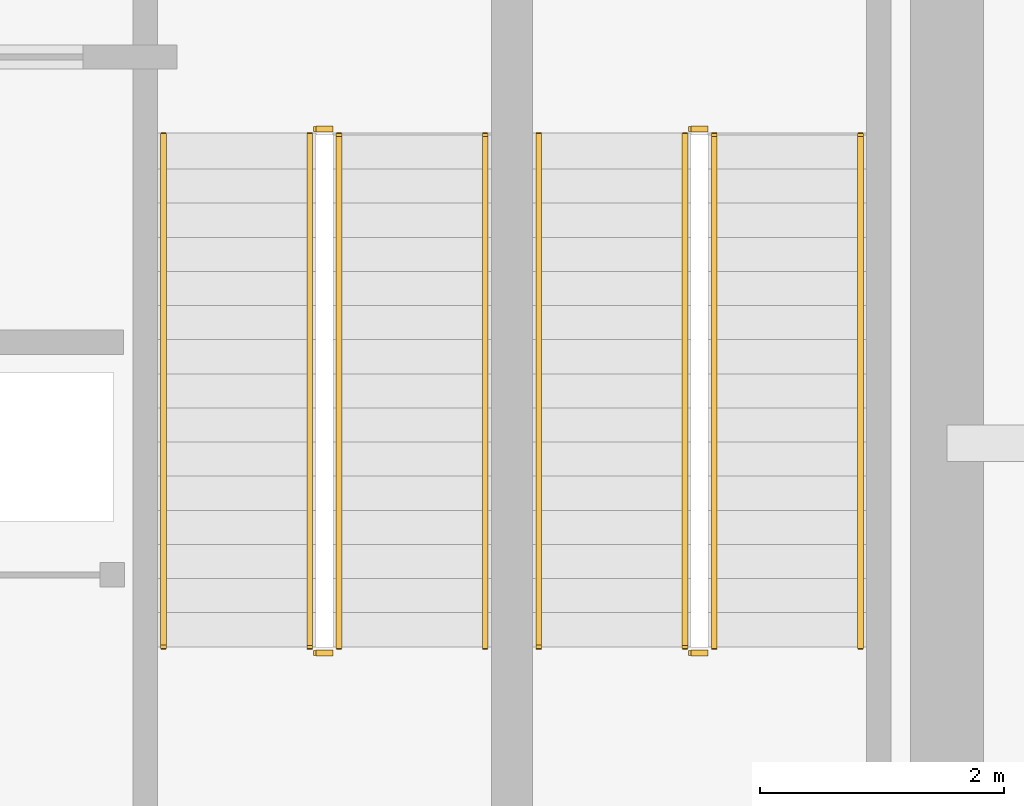
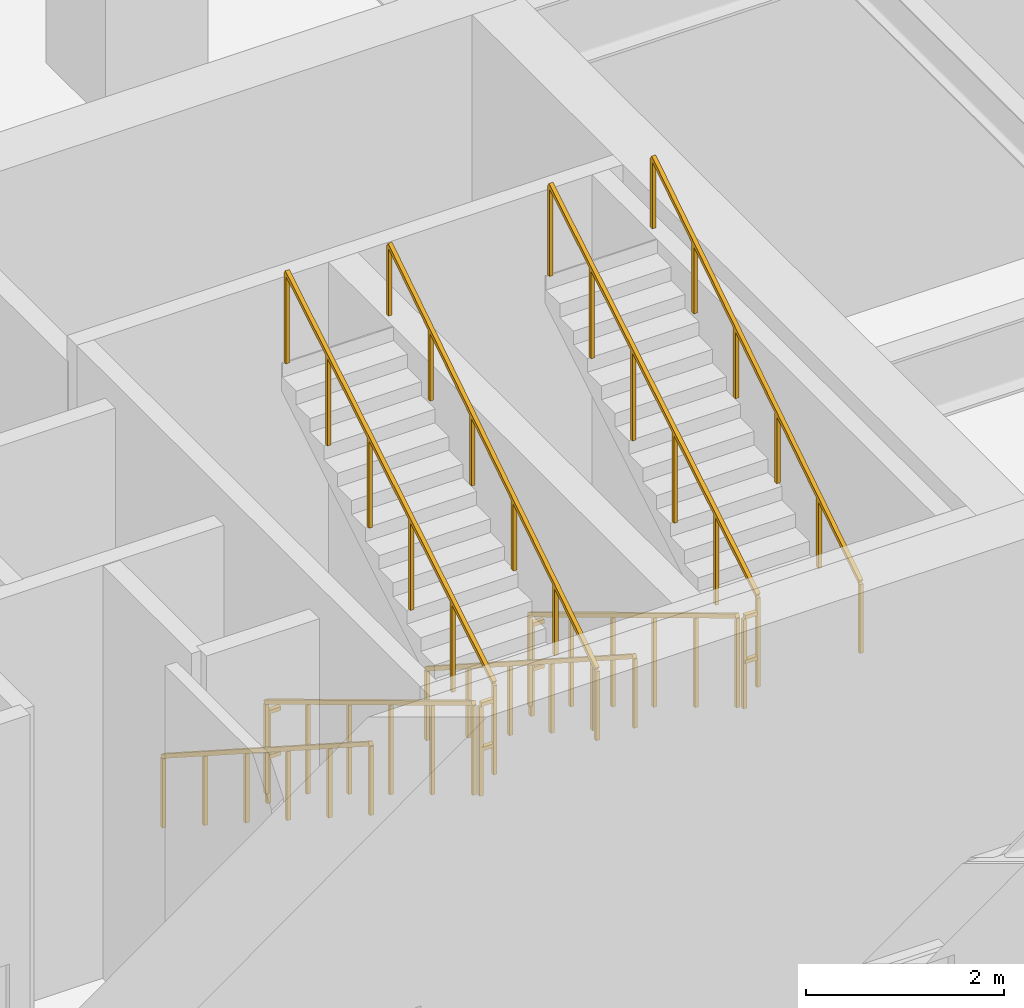
# One storey, part 21 of 23: 12 railings.
"""IFC4 building model written with IfcOpenShell, lengths in metres."""

from ifc_helpers import new_model, si_unit, derived_unit, direction, frame, origin, origin_2d, place, context, subcontext, project, spatial, rectangle, extrude, material, type_object, element, save


model = new_model("IFC4")

# Units and contexts
model_context = context("Model", 3, precision=1e-05, world=origin(), true_north=direction((0.0, 1.0)))
body_context = subcontext(model_context, "Body", "Model", "MODEL_VIEW")
ifc_project = project(units=[si_unit("LENGTHUNIT", "METRE"), si_unit("AREAUNIT", "SQUARE_METRE"), si_unit("VOLUMEUNIT", "CUBIC_METRE"), si_unit("PLANEANGLEUNIT", "RADIAN"), si_unit("MASSUNIT", "GRAM", prefix="KILO"), si_unit("THERMODYNAMICTEMPERATUREUNIT", "KELVIN"), si_unit("POWERUNIT", "WATT"), derived_unit("THERMALTRANSMITTANCEUNIT", [(si_unit("POWERUNIT", "WATT"), 1), (si_unit("AREAUNIT", "SQUARE_METRE"), -1), (si_unit("THERMODYNAMICTEMPERATUREUNIT", "KELVIN"), -1)])], contexts=[model_context])

# Site, building, storey
site_placement = place(None, origin())
site = spatial("IfcSite", under=ifc_project, at=site_placement, CompositionType="ELEMENT")
building_placement = place(site_placement, origin())
building = spatial("IfcBuilding", under=site, at=building_placement, Name="Zahravan Archway Hotel and Residences", CompositionType="ELEMENT")
storey_placement = place(building_placement, frame((0.0, 0.0, 5.39990234375)))
storey = spatial("IfcBuildingStorey", under=building, at=storey_placement, Name="L01", CompositionType="ELEMENT", Elevation=5.39990234375)

# Railings
ifc_material_1 = material(Name="Painted Tubular Steel", Category="steel")
railing_type_1 = type_object("IfcRailingType", Name="RL-STG-1150", PredefinedType="GUARDRAIL", material=ifc_material_1)
railing_1_placement = place(storey_placement, frame((44.570068359375, 9.72998046875, 0.1689453125)))
element("IfcRailing", 1, at=railing_1_placement, inside=storey, type_object=railing_type_1, Name="L01 ST-A2 stair guard 1", PredefinedType="GUARDRAIL", context=body_context, shape_type="SweptSolid", body=[
    extrude(rectangle(XDim=0.048095703125, YDim=0.048095703125, at=origin_2d()), frame((0.0, 0.0, 1.1259765625), z_axis=(0.0, -0.856476492594, 0.516186030065), x_axis=(1.0, 0.0, 0.0)), (0.0, 0.0, 1.0), 4.90380859375),
    extrude(rectangle(XDim=0.0419921875, YDim=0.0419921875, at=origin_2d()), origin(), (0.0, 0.0, 1.0), 1.101806640625),
    extrude(rectangle(XDim=0.0419921875, YDim=0.0419921875, at=origin_2d()), frame((0.0, -0.840087890625, 0.50634765625)), (0.0, 0.0, 1.0), 1.101806640625),
    extrude(rectangle(XDim=0.0419921875, YDim=0.0419921875, at=origin_2d()), frame((0.0, -1.679931640625, 1.012451171875)), (0.0, 0.0, 1.0), 1.101806640625),
    extrude(rectangle(XDim=0.0419921875, YDim=0.0419921875, at=origin_2d()), frame((0.0, -2.52001953125, 1.518798828125)), (0.0, 0.0, 1.0), 1.101806640625),
    extrude(rectangle(XDim=0.0419921875, YDim=0.0419921875, at=origin_2d()), frame((0.0, -3.35986328125, 2.02490234375)), (0.0, 0.0, 1.0), 1.101806640625),
    extrude(rectangle(XDim=0.0419921875, YDim=0.0419921875, at=origin_2d()), frame((0.0, -4.199951171875, 2.53125)), (0.0, 0.0, 1.0), 1.101806640625),
])
railing_2_placement = place(storey_placement, frame((44.6201171875, 5.47998046875, 2.7001953125)))
element("IfcRailing", 2, at=railing_2_placement, inside=storey, type_object=railing_type_1, Name="L01 ST-A2 stair guard 2", PredefinedType="GUARDRAIL", context=body_context, shape_type="SweptSolid", body=[
    extrude(rectangle(XDim=0.048095703125, YDim=0.048095703125, at=origin_2d()), frame((0.0, 0.0, 1.1259765625), z_axis=(1.0, 0.0, 0.0), x_axis=(0.0, 1.0, 0.0)), (0.0, 0.0, 1.0), 0.139892578125),
    extrude(rectangle(XDim=0.048095703125, YDim=0.048095703125, at=origin_2d()), frame((0.0, 0.0, 0.574951171875), z_axis=(1.0, 0.0, 0.0), x_axis=(0.0, 1.0, 0.0)), (0.0, 0.0, 1.0), 0.139892578125),
    extrude(rectangle(XDim=0.0419921875, YDim=0.0419921875, at=origin_2d()), origin(), (0.0, 0.0, 1.0), 1.101806640625),
])
railing_3_placement = place(storey_placement, frame((44.81005859375, 5.530029296875, 2.868896484375)))
element("IfcRailing", 3, at=railing_3_placement, inside=storey, type_object=railing_type_1, Name="L01 ST-A2 stair guard 3", PredefinedType="GUARDRAIL", context=body_context, shape_type="SweptSolid", body=[
    extrude(rectangle(XDim=0.048095703125, YDim=0.048095703125, at=origin_2d()), frame((0.0, 0.0, 1.1259765625), z_axis=(0.0, 0.856476492594, 0.516186030065), x_axis=(-1.0, 0.0, 0.0)), (0.0, 0.0, 1.0), 4.90380859375),
    extrude(rectangle(XDim=0.0419921875, YDim=0.0419921875, at=origin_2d()), origin(), (0.0, 0.0, 1.0), 1.101806640625),
    extrude(rectangle(XDim=0.0419921875, YDim=0.0419921875, at=origin_2d()), frame((0.0, 0.840087890625, 0.50634765625)), (0.0, 0.0, 1.0), 1.101806640625),
    extrude(rectangle(XDim=0.0419921875, YDim=0.0419921875, at=origin_2d()), frame((0.0, 1.679931640625, 1.012451171875)), (0.0, 0.0, 1.0), 1.101806640625),
    extrude(rectangle(XDim=0.0419921875, YDim=0.0419921875, at=origin_2d()), frame((0.0, 2.52001953125, 1.518798828125)), (0.0, 0.0, 1.0), 1.101806640625),
    extrude(rectangle(XDim=0.0419921875, YDim=0.0419921875, at=origin_2d()), frame((0.0, 3.35986328125, 2.02490234375)), (0.0, 0.0, 1.0), 1.101806640625),
    extrude(rectangle(XDim=0.0419921875, YDim=0.0419921875, at=origin_2d()), frame((0.0, 4.199951171875, 2.53125)), (0.0, 0.0, 1.0), 1.101806640625),
])
railing_4_placement = place(storey_placement, frame((44.6201171875, 9.780029296875, 0.0)))
element("IfcRailing", 4, at=railing_4_placement, inside=storey, type_object=railing_type_1, Name="L01 ST-A2 stair guard 4", PredefinedType="GUARDRAIL", context=body_context, shape_type="SweptSolid", body=[
    extrude(rectangle(XDim=0.048095703125, YDim=0.048095703125, at=origin_2d()), frame((0.0, 0.0, 1.1259765625), z_axis=(1.0, 0.0, 0.0), x_axis=(0.0, 1.0, 0.0)), (0.0, 0.0, 1.0), 0.139892578125),
    extrude(rectangle(XDim=0.048095703125, YDim=0.048095703125, at=origin_2d()), frame((0.0, 0.0, 0.574951171875), z_axis=(1.0, 0.0, 0.0), x_axis=(0.0, 1.0, 0.0)), (0.0, 0.0, 1.0), 0.139892578125),
    extrude(rectangle(XDim=0.0419921875, YDim=0.0419921875, at=origin_2d()), origin(), (0.0, 0.0, 1.0), 1.101806640625),
])
railing_5_placement = place(storey_placement, frame((47.64990234375, 9.72998046875, 0.1689453125)))
element("IfcRailing", 5, at=railing_5_placement, inside=storey, type_object=railing_type_1, Name="L01 ST-A3 stair guard 1", PredefinedType="GUARDRAIL", context=body_context, shape_type="SweptSolid", body=[
    extrude(rectangle(XDim=0.048095703125, YDim=0.048095703125, at=origin_2d()), frame((0.0, 0.0, 1.1259765625), z_axis=(0.0, -0.856476492594, 0.516186030065), x_axis=(1.0, 0.0, 0.0)), (0.0, 0.0, 1.0), 4.90380859375),
    extrude(rectangle(XDim=0.0419921875, YDim=0.0419921875, at=origin_2d()), origin(), (0.0, 0.0, 1.0), 1.101806640625),
    extrude(rectangle(XDim=0.0419921875, YDim=0.0419921875, at=origin_2d()), frame((0.0, -0.840087890625, 0.50634765625)), (0.0, 0.0, 1.0), 1.101806640625),
    extrude(rectangle(XDim=0.0419921875, YDim=0.0419921875, at=origin_2d()), frame((0.0, -1.679931640625, 1.012451171875)), (0.0, 0.0, 1.0), 1.101806640625),
    extrude(rectangle(XDim=0.0419921875, YDim=0.0419921875, at=origin_2d()), frame((0.0, -2.52001953125, 1.518798828125)), (0.0, 0.0, 1.0), 1.101806640625),
    extrude(rectangle(XDim=0.0419921875, YDim=0.0419921875, at=origin_2d()), frame((0.0, -3.35986328125, 2.02490234375)), (0.0, 0.0, 1.0), 1.101806640625),
    extrude(rectangle(XDim=0.0419921875, YDim=0.0419921875, at=origin_2d()), frame((0.0, -4.199951171875, 2.53125)), (0.0, 0.0, 1.0), 1.101806640625),
])
railing_6_placement = place(storey_placement, frame((47.699951171875, 5.47998046875, 2.7001953125)))
element("IfcRailing", 6, at=railing_6_placement, inside=storey, type_object=railing_type_1, Name="L01 ST-A3 stair guard 2", PredefinedType="GUARDRAIL", context=body_context, shape_type="SweptSolid", body=[
    extrude(rectangle(XDim=0.048095703125, YDim=0.048095703125, at=origin_2d()), frame((0.0, 0.0, 1.1259765625), z_axis=(1.0, 0.0, 0.0), x_axis=(0.0, 1.0, 0.0)), (0.0, 0.0, 1.0), 0.14013671875),
    extrude(rectangle(XDim=0.048095703125, YDim=0.048095703125, at=origin_2d()), frame((0.0, 0.0, 0.574951171875), z_axis=(1.0, 0.0, 0.0), x_axis=(0.0, 1.0, 0.0)), (0.0, 0.0, 1.0), 0.14013671875),
    extrude(rectangle(XDim=0.0419921875, YDim=0.0419921875, at=origin_2d()), origin(), (0.0, 0.0, 1.0), 1.101806640625),
])
railing_7_placement = place(storey_placement, frame((47.889892578125, 5.530029296875, 2.868896484375)))
element("IfcRailing", 7, at=railing_7_placement, inside=storey, type_object=railing_type_1, Name="L01 ST-A3 stair guard 3", PredefinedType="GUARDRAIL", context=body_context, shape_type="SweptSolid", body=[
    extrude(rectangle(XDim=0.048095703125, YDim=0.048095703125, at=origin_2d()), frame((0.0, 0.0, 1.1259765625), z_axis=(0.0, 0.856476492594, 0.516186030065), x_axis=(-1.0, 0.0, 0.0)), (0.0, 0.0, 1.0), 4.90380859375),
    extrude(rectangle(XDim=0.0419921875, YDim=0.0419921875, at=origin_2d()), origin(), (0.0, 0.0, 1.0), 1.101806640625),
    extrude(rectangle(XDim=0.0419921875, YDim=0.0419921875, at=origin_2d()), frame((0.0, 0.840087890625, 0.50634765625)), (0.0, 0.0, 1.0), 1.101806640625),
    extrude(rectangle(XDim=0.0419921875, YDim=0.0419921875, at=origin_2d()), frame((0.0, 1.679931640625, 1.012451171875)), (0.0, 0.0, 1.0), 1.101806640625),
    extrude(rectangle(XDim=0.0419921875, YDim=0.0419921875, at=origin_2d()), frame((0.0, 2.52001953125, 1.518798828125)), (0.0, 0.0, 1.0), 1.101806640625),
    extrude(rectangle(XDim=0.0419921875, YDim=0.0419921875, at=origin_2d()), frame((0.0, 3.35986328125, 2.02490234375)), (0.0, 0.0, 1.0), 1.101806640625),
    extrude(rectangle(XDim=0.0419921875, YDim=0.0419921875, at=origin_2d()), frame((0.0, 4.199951171875, 2.53125)), (0.0, 0.0, 1.0), 1.101806640625),
])
railing_8_placement = place(storey_placement, frame((47.699951171875, 9.780029296875, 0.0)))
element("IfcRailing", 8, at=railing_8_placement, inside=storey, type_object=railing_type_1, Name="L01 ST-A3 stair guard 4", PredefinedType="GUARDRAIL", context=body_context, shape_type="SweptSolid", body=[
    extrude(rectangle(XDim=0.048095703125, YDim=0.048095703125, at=origin_2d()), frame((0.0, 0.0, 1.1259765625), z_axis=(1.0, 0.0, 0.0), x_axis=(0.0, 1.0, 0.0)), (0.0, 0.0, 1.0), 0.14013671875),
    extrude(rectangle(XDim=0.048095703125, YDim=0.048095703125, at=origin_2d()), frame((0.0, 0.0, 0.574951171875), z_axis=(1.0, 0.0, 0.0), x_axis=(0.0, 1.0, 0.0)), (0.0, 0.0, 1.0), 0.14013671875),
    extrude(rectangle(XDim=0.0419921875, YDim=0.0419921875, at=origin_2d()), origin(), (0.0, 0.0, 1.0), 1.101806640625),
])
ifc_material_2 = material(Name="Brushed Stainless Steel", Category="steel")
railing_type_2 = type_object("IfcRailingType", Name="RL-STH-900", PredefinedType="HANDRAIL", material=ifc_material_2)
railing_9_placement = place(storey_placement, frame((43.3701171875, 9.72998046875, 0.1689453125)))
element("IfcRailing", 9, at=railing_9_placement, inside=storey, type_object=railing_type_2, Name="L01 ST-A2 stair handrail 1", PredefinedType="HANDRAIL", context=body_context, shape_type="SweptSolid", body=[
    extrude(rectangle(XDim=0.048095703125, YDim=0.048095703125, at=origin_2d()), frame((0.0, 0.0, 0.8759765625), z_axis=(0.0, -0.841180064094, 0.540755119968), x_axis=(1.0, 0.0, 0.0)), (0.0, 0.0, 1.0), 4.992919921875),
    extrude(rectangle(XDim=0.0419921875, YDim=0.0419921875, at=origin_2d()), origin(), (0.0, 0.0, 1.0), 0.851806640625),
    extrude(rectangle(XDim=0.0419921875, YDim=0.0419921875, at=origin_2d()), frame((0.0, -0.840087890625, 0.5400390625)), (0.0, 0.0, 1.0), 0.851806640625),
    extrude(rectangle(XDim=0.0419921875, YDim=0.0419921875, at=origin_2d()), frame((0.0, -1.679931640625, 1.080078125)), (0.0, 0.0, 1.0), 0.851806640625),
    extrude(rectangle(XDim=0.0419921875, YDim=0.0419921875, at=origin_2d()), frame((0.0, -2.52001953125, 1.619873046875)), (0.0, 0.0, 1.0), 0.851806640625),
    extrude(rectangle(XDim=0.0419921875, YDim=0.0419921875, at=origin_2d()), frame((0.0, -3.35986328125, 2.159912109375)), (0.0, 0.0, 1.0), 0.851806640625),
    extrude(rectangle(XDim=0.0419921875, YDim=0.0419921875, at=origin_2d()), frame((0.0, -4.199951171875, 2.699951171875)), (0.0, 0.0, 1.0), 0.851806640625),
])
railing_10_placement = place(storey_placement, frame((46.010009765625, 5.530029296875, 2.868896484375)))
element("IfcRailing", 10, at=railing_10_placement, inside=storey, type_object=railing_type_2, Name="L01 ST-A2 stair handrail 2", PredefinedType="HANDRAIL", context=body_context, shape_type="SweptSolid", body=[
    extrude(rectangle(XDim=0.048095703125, YDim=0.048095703125, at=origin_2d()), frame((0.0, 0.0, 0.8759765625), z_axis=(0.0, 0.841180064094, 0.540755119968), x_axis=(-1.0, 0.0, 0.0)), (0.0, 0.0, 1.0), 4.992919921875),
    extrude(rectangle(XDim=0.0419921875, YDim=0.0419921875, at=origin_2d()), origin(), (0.0, 0.0, 1.0), 0.851806640625),
    extrude(rectangle(XDim=0.0419921875, YDim=0.0419921875, at=origin_2d()), frame((0.0, 0.840087890625, 0.5400390625)), (0.0, 0.0, 1.0), 0.851806640625),
    extrude(rectangle(XDim=0.0419921875, YDim=0.0419921875, at=origin_2d()), frame((0.0, 1.679931640625, 1.080078125)), (0.0, 0.0, 1.0), 0.851806640625),
    extrude(rectangle(XDim=0.0419921875, YDim=0.0419921875, at=origin_2d()), frame((0.0, 2.52001953125, 1.619873046875)), (0.0, 0.0, 1.0), 0.851806640625),
    extrude(rectangle(XDim=0.0419921875, YDim=0.0419921875, at=origin_2d()), frame((0.0, 3.35986328125, 2.159912109375)), (0.0, 0.0, 1.0), 0.851806640625),
    extrude(rectangle(XDim=0.0419921875, YDim=0.0419921875, at=origin_2d()), frame((0.0, 4.199951171875, 2.699951171875)), (0.0, 0.0, 1.0), 0.851806640625),
])
railing_11_placement = place(storey_placement, frame((46.449951171875, 9.72998046875, 0.1689453125)))
element("IfcRailing", 11, at=railing_11_placement, inside=storey, type_object=railing_type_2, Name="L01 ST-A3 stair handrail 1", PredefinedType="HANDRAIL", context=body_context, shape_type="SweptSolid", body=[
    extrude(rectangle(XDim=0.048095703125, YDim=0.048095703125, at=origin_2d()), frame((0.0, 0.0, 0.8759765625), z_axis=(0.0, -0.841180064094, 0.540755119968), x_axis=(1.0, 0.0, 0.0)), (0.0, 0.0, 1.0), 4.992919921875),
    extrude(rectangle(XDim=0.0419921875, YDim=0.0419921875, at=origin_2d()), origin(), (0.0, 0.0, 1.0), 0.851806640625),
    extrude(rectangle(XDim=0.0419921875, YDim=0.0419921875, at=origin_2d()), frame((0.0, -0.840087890625, 0.5400390625)), (0.0, 0.0, 1.0), 0.851806640625),
    extrude(rectangle(XDim=0.0419921875, YDim=0.0419921875, at=origin_2d()), frame((0.0, -1.679931640625, 1.080078125)), (0.0, 0.0, 1.0), 0.851806640625),
    extrude(rectangle(XDim=0.0419921875, YDim=0.0419921875, at=origin_2d()), frame((0.0, -2.52001953125, 1.619873046875)), (0.0, 0.0, 1.0), 0.851806640625),
    extrude(rectangle(XDim=0.0419921875, YDim=0.0419921875, at=origin_2d()), frame((0.0, -3.35986328125, 2.159912109375)), (0.0, 0.0, 1.0), 0.851806640625),
    extrude(rectangle(XDim=0.0419921875, YDim=0.0419921875, at=origin_2d()), frame((0.0, -4.199951171875, 2.699951171875)), (0.0, 0.0, 1.0), 0.851806640625),
])
railing_12_placement = place(storey_placement, frame((49.090087890625, 5.530029296875, 2.868896484375)))
element("IfcRailing", 12, at=railing_12_placement, inside=storey, type_object=railing_type_2, Name="L01 ST-A3 stair handrail 2", PredefinedType="HANDRAIL", context=body_context, shape_type="SweptSolid", body=[
    extrude(rectangle(XDim=0.048095703125, YDim=0.048095703125, at=origin_2d()), frame((0.0, 0.0, 0.8759765625), z_axis=(0.0, 0.841180064094, 0.540755119968), x_axis=(-1.0, 0.0, 0.0)), (0.0, 0.0, 1.0), 4.992919921875),
    extrude(rectangle(XDim=0.0419921875, YDim=0.0419921875, at=origin_2d()), origin(), (0.0, 0.0, 1.0), 0.851806640625),
    extrude(rectangle(XDim=0.0419921875, YDim=0.0419921875, at=origin_2d()), frame((0.0, 0.840087890625, 0.5400390625)), (0.0, 0.0, 1.0), 0.851806640625),
    extrude(rectangle(XDim=0.0419921875, YDim=0.0419921875, at=origin_2d()), frame((0.0, 1.679931640625, 1.080078125)), (0.0, 0.0, 1.0), 0.851806640625),
    extrude(rectangle(XDim=0.0419921875, YDim=0.0419921875, at=origin_2d()), frame((0.0, 2.52001953125, 1.619873046875)), (0.0, 0.0, 1.0), 0.851806640625),
    extrude(rectangle(XDim=0.0419921875, YDim=0.0419921875, at=origin_2d()), frame((0.0, 3.35986328125, 2.159912109375)), (0.0, 0.0, 1.0), 0.851806640625),
    extrude(rectangle(XDim=0.0419921875, YDim=0.0419921875, at=origin_2d()), frame((0.0, 4.199951171875, 2.699951171875)), (0.0, 0.0, 1.0), 0.851806640625),
])

save(model, "model.ifc")
